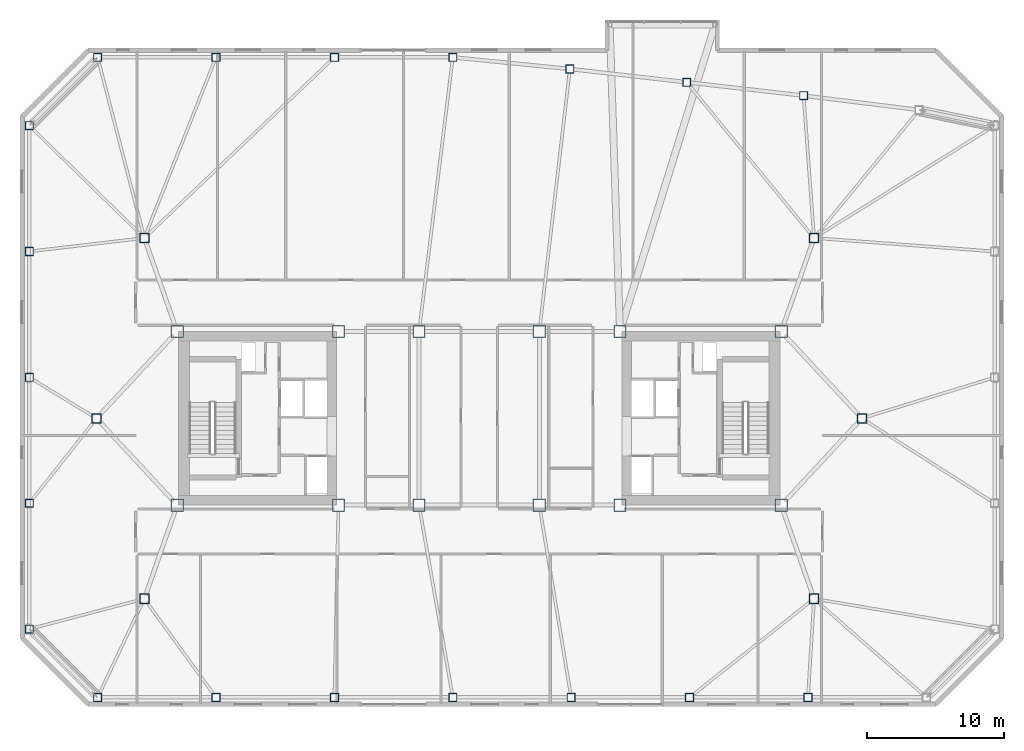
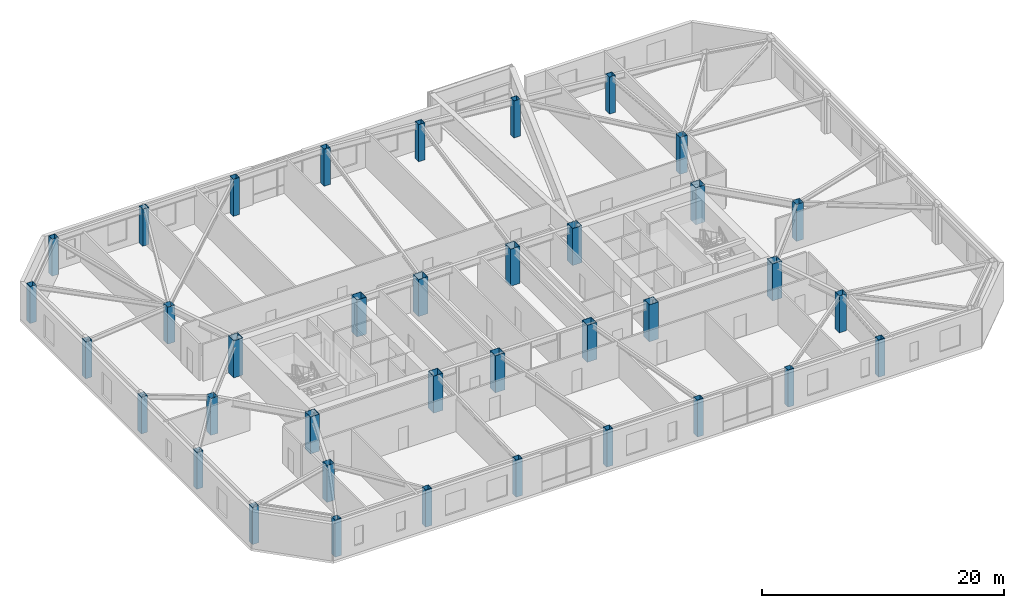
# One storey, part 1 of 20: 37 columns.
"""IFC4 building model written with IfcOpenShell, lengths in metres."""

from ifc_helpers import new_model, si_unit, direction, frame, origin, origin_2d, place, context, subcontext, project, spatial, hollow_rectangle, extrude, material, material_profile, profile_set, type_object, element, save


model = new_model("IFC4")

# Units and contexts
model_context = context("Model", 3, precision=1e-05, world=origin(), true_north=direction((0.0, 1.0)))
body_context = subcontext(model_context, "Body", "Model", "MODEL_VIEW")
ifc_project = project(units=[si_unit("LENGTHUNIT", "METRE"), si_unit("AREAUNIT", "SQUARE_METRE"), si_unit("VOLUMEUNIT", "CUBIC_METRE"), si_unit("PLANEANGLEUNIT", "RADIAN"), si_unit("MASSUNIT", "GRAM", prefix="KILO")], contexts=[model_context])

# Site, building, storey
site_placement = place(None, origin())
site = spatial("IfcSite", under=ifc_project, at=site_placement, CompositionType="ELEMENT")
building_placement = place(site_placement, origin())
building = spatial("IfcBuilding", under=site, at=building_placement, Name="Tavrogorsk Clinical Tower", CompositionType="ELEMENT")
storey_placement = place(building_placement, frame((0.0, 0.0, 176.199951171875)))
storey = spatial("IfcBuildingStorey", under=building, at=storey_placement, Name="L40", CompositionType="ELEMENT", Elevation=176.199951171875)

# Columns
ifc_material_1 = material(Name="Structural steel S440", Category="steel")
ifc_material_profile_1 = material_profile(ifc_material_1, hollow_rectangle(XDim=0.699951171875, YDim=0.699951171875, WallThickness=0.031982421875, at=origin_2d()), Name="BOX-700x700x32")
ifc_profile_set_1 = profile_set([ifc_material_profile_1], Name="Structural steel S440")
column_type_1 = type_object("IfcColumnType", Name="MegaCol_BOX700", PredefinedType="COLUMN", material=ifc_profile_set_1)
for number, where, z_axis, x_axis, name in (
    (1, (-24.5, -13.199951171875, 0.0), (0.0, 0.0, 1.0), (1.0, 0.0, 0.0), "L40 Spine Pilotis Column MC-P1"),
    (2, (24.5, -13.199951171875, 0.0), (0.0, 0.0, 1.0), (1.0, 0.0, 0.0), "L40 Spine Pilotis Column MC-P2"),
    (3, (-24.5, 13.199951171875, 0.0), (0.0, 0.0, 1.0), (1.0, 0.0, 0.0), "L40 Spine Pilotis Column MC-P3"),
    (4, (24.5, 13.199951171875, 0.0), (0.0, 0.0, 1.0), (1.0, 0.0, 0.0), "L40 Spine Pilotis Column MC-P4"),
    (5, (-28.0, 0.0, 0.0), (0.0, 0.0, 1.0), (1.0, 0.0, 0.0), "L40 Spine Pilotis Column MC-P5"),
    (6, (28.0, 0.0, 0.0), (0.0, 0.0, 1.0), (1.0, 0.0, 0.0), "L40 Spine Pilotis Column MC-P6"),
):
    element("IfcColumn", number, at=place(storey_placement, frame(where, z_axis=z_axis, x_axis=x_axis)), inside=storey, type_object=column_type_1, Name=name, PredefinedType="COLUMN", context=body_context, shape_type="SweptSolid", body=[
        extrude(hollow_rectangle(XDim=0.699951171875, YDim=0.699951171875, WallThickness=0.031982421875, at=origin_2d()), origin(), (0.0, 0.0, 1.0), 3.739990234375),
    ])
ifc_material_2 = material(Name="Structural steel S440", Category="steel")
ifc_material_profile_2 = material_profile(ifc_material_2, hollow_rectangle(XDim=0.89990234375, YDim=0.89990234375, WallThickness=0.0400390625, at=origin_2d()), Name="BOX-900x900x40")
ifc_profile_set_2 = profile_set([ifc_material_profile_2], Name="Structural steel S440")
column_type_2 = type_object("IfcColumnType", Name="MegaCol_BOX900", PredefinedType="COLUMN", material=ifc_profile_set_2)
for number, where, z_axis, x_axis, name in (
    (7, (-22.10009765625, -6.35009765625, 0.0), (0.0, 0.0, 1.0), (1.0, 0.0, 0.0), "L40 Mega Column MC-W1"),
    (8, (-22.10009765625, 6.35009765625, 0.0), (0.0, 0.0, 1.0), (1.0, 0.0, 0.0), "L40 Mega Column MC-W2"),
    (9, (-10.300048828125, -6.35009765625, 0.0), (0.0, 0.0, 1.0), (1.0, 0.0, 0.0), "L40 Mega Column MC-W3"),
    (10, (-10.300048828125, 6.35009765625, 0.0), (0.0, 0.0, 1.0), (1.0, 0.0, 0.0), "L40 Mega Column MC-W4"),
    (11, (10.300048828125, -6.35009765625, 0.0), (0.0, 0.0, 1.0), (1.0, 0.0, 0.0), "L40 Mega Column MC-E1"),
    (12, (10.300048828125, 6.35009765625, 0.0), (0.0, 0.0, 1.0), (1.0, 0.0, 0.0), "L40 Mega Column MC-E2"),
    (13, (22.10009765625, -6.35009765625, 0.0), (0.0, 0.0, 1.0), (1.0, 0.0, 0.0), "L40 Mega Column MC-E3"),
    (14, (22.10009765625, 6.35009765625, 0.0), (0.0, 0.0, 1.0), (1.0, 0.0, 0.0), "L40 Mega Column MC-E4"),
    (15, (-4.39990234375, -6.35009765625, 0.0), (0.0, 0.0, 1.0), (1.0, 0.0, 0.0), "L40 Mega Column MC-C1"),
    (16, (4.39990234375, -6.35009765625, 0.0), (0.0, 0.0, 1.0), (1.0, 0.0, 0.0), "L40 Mega Column MC-C2"),
    (17, (-4.39990234375, 6.35009765625, 0.0), (0.0, 0.0, 1.0), (1.0, 0.0, 0.0), "L40 Mega Column MC-C3"),
    (18, (4.39990234375, 6.35009765625, 0.0), (0.0, 0.0, 1.0), (1.0, 0.0, 0.0), "L40 Mega Column MC-C4"),
):
    element("IfcColumn", number, at=place(storey_placement, frame(where, z_axis=z_axis, x_axis=x_axis)), inside=storey, type_object=column_type_2, Name=name, PredefinedType="COLUMN", context=body_context, shape_type="SweptSolid", body=[
        extrude(hollow_rectangle(XDim=0.89990234375, YDim=0.89990234375, WallThickness=0.0400390625, at=origin_2d()), origin(), (0.0, 0.0, 1.0), 3.739990234375),
    ])
ifc_material_3 = material(Name="Structural steel S440", Category="steel")
ifc_material_profile_3 = material_profile(ifc_material_3, hollow_rectangle(XDim=0.60009765625, YDim=0.60009765625, WallThickness=0.028076171875, at=origin_2d()), Name="BOX-600x600x28")
ifc_profile_set_3 = profile_set([ifc_material_profile_3], Name="Structural steel S440")
column_type_3 = type_object("IfcColumnType", Name="PerimCol_B3_BOX600", PredefinedType="COLUMN", material=ifc_profile_set_3)
for number, where, z_axis, x_axis, name in (
    (19, (-27.919921875, -20.419921875, 0.0), (0.0, 0.0, 1.0), (1.0, 0.0, 0.0), "L40 Perimeter Column S1"),
    (20, (-19.257080078125, -20.419921875, 0.0), (0.0, 0.0, 1.0), (1.0, 0.0, 0.0), "L40 Perimeter Column S2"),
    (21, (-10.59423828125, -20.419921875, 0.0), (0.0, 0.0, 1.0), (1.0, 0.0, 0.0), "L40 Perimeter Column S3"),
    (22, (-1.931396484375, -20.419921875, 0.0), (0.0, 0.0, 1.0), (1.0, 0.0, 0.0), "L40 Perimeter Column S4"),
    (23, (6.7314453125, -20.419921875, 0.0), (0.0, 0.0, 1.0), (1.0, 0.0, 0.0), "L40 Perimeter Column S5"),
    (24, (15.394287109375, -20.419921875, 0.0), (0.0, 0.0, 1.0), (1.0, 0.0, 0.0), "L40 Perimeter Column S6"),
    (25, (24.05712890625, -20.419921875, 0.0), (0.0, 0.0, 1.0), (1.0, 0.0, 0.0), "L40 Perimeter Column S7"),
    (26, (23.73779296875, 23.617919921875, 0.0), (0.0, 0.0, 1.0), (1.0, 0.0, 0.0), "L40 Perimeter Column N2"),
    (27, (15.18603515625, 24.59228515625, 0.0), (0.0, 0.0, 1.0), (1.0, 0.0, 0.0), "L40 Perimeter Column N3"),
    (28, (6.63427734375, 25.566650390625, 0.0), (0.0, 0.0, 1.0), (1.0, 0.0, 0.0), "L40 Perimeter Column N4"),
    (29, (-1.931396484375, 26.419921875, 0.0), (0.0, 0.0, 1.0), (1.0, 0.0, 0.0), "L40 Perimeter Column N5"),
    (30, (-10.59423828125, 26.419921875, 0.0), (0.0, 0.0, 1.0), (1.0, 0.0, 0.0), "L40 Perimeter Column N6"),
    (31, (-19.257080078125, 26.419921875, 0.0), (0.0, 0.0, 1.0), (1.0, 0.0, 0.0), "L40 Perimeter Column N7"),
    (32, (-27.919921875, 26.419921875, 0.0), (0.0, 0.0, 1.0), (1.0, 0.0, 0.0), "L40 Perimeter Column N8"),
    (33, (-32.919921875, 21.419921875, 0.0), (0.0, 0.0, 1.0), (1.0, 0.0, 0.0), "L40 Perimeter Column W1"),
    (34, (-32.919921875, 12.2099609375, 0.0), (0.0, 0.0, 1.0), (1.0, 0.0, 0.0), "L40 Perimeter Column W2"),
    (35, (-32.919921875, 3.0, 0.0), (0.0, 0.0, 1.0), (1.0, 0.0, 0.0), "L40 Perimeter Column W3"),
    (36, (-32.919921875, -6.2099609375, 0.0), (0.0, 0.0, 1.0), (1.0, 0.0, 0.0), "L40 Perimeter Column W4"),
    (37, (-32.919921875, -15.419921875, 0.0), (0.0, 0.0, 1.0), (1.0, 0.0, 0.0), "L40 Perimeter Column W5"),
):
    element("IfcColumn", number, at=place(storey_placement, frame(where, z_axis=z_axis, x_axis=x_axis)), inside=storey, type_object=column_type_3, Name=name, PredefinedType="COLUMN", context=body_context, shape_type="SweptSolid", body=[
        extrude(hollow_rectangle(XDim=0.60009765625, YDim=0.60009765625, WallThickness=0.028076171875, at=origin_2d()), origin(), (0.0, 0.0, 1.0), 3.739990234375),
    ])

save(model, "model.ifc")
